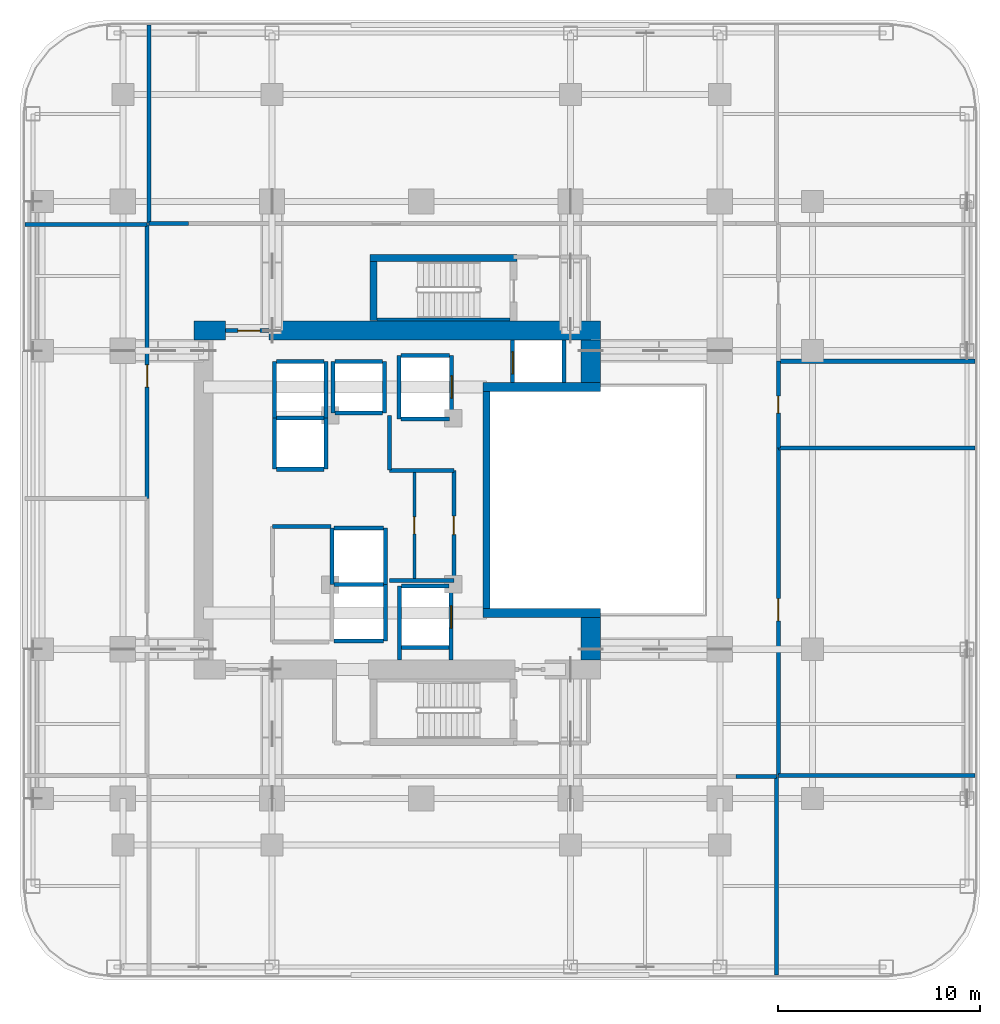
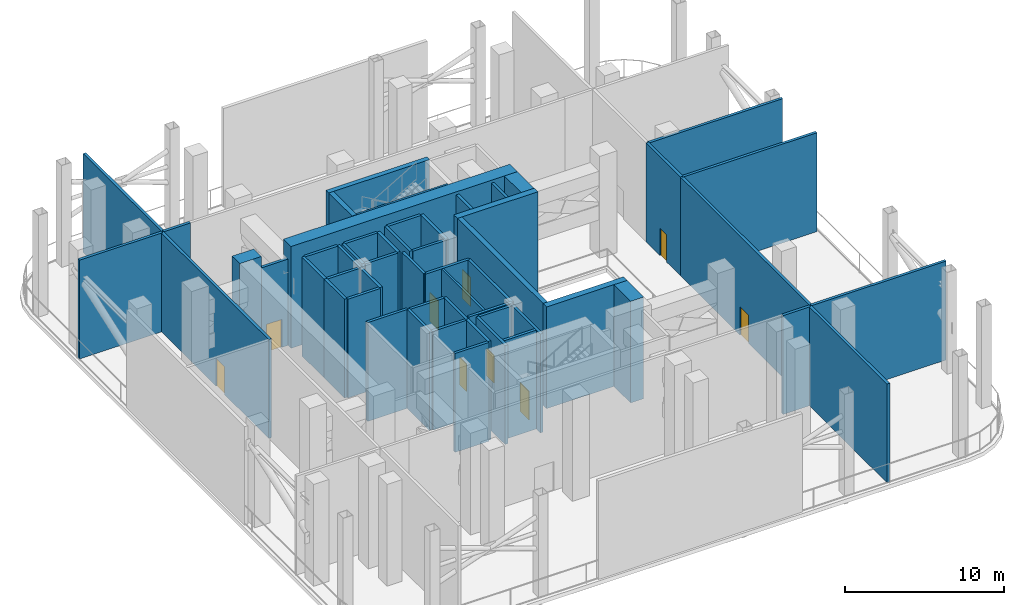
# One storey, part 5 of 10: 55 walls, 9 doors, 9 openings.
"""IFC4 building model written with IfcOpenShell, lengths in metres."""

from ifc_helpers import new_model, si_unit, direction, frame, frame_2d, origin, place, context, subcontext, project, spatial, rectangle, extrude, material, layer, layer_set, type_object, element, fill, save


model = new_model("IFC4")

# Units and contexts
model_context = context("Model", 3, precision=1e-05, world=origin(), true_north=direction((0.0, 1.0)))
body_context = subcontext(model_context, "Body", "Model", "MODEL_VIEW")
ifc_project = project(units=[si_unit("LENGTHUNIT", "METRE"), si_unit("AREAUNIT", "SQUARE_METRE"), si_unit("VOLUMEUNIT", "CUBIC_METRE"), si_unit("PLANEANGLEUNIT", "RADIAN"), si_unit("MASSUNIT", "GRAM", prefix="KILO")], contexts=[model_context])

# Site, building, storey
site_placement = place(None, origin())
site = spatial("IfcSite", under=ifc_project, at=site_placement, CompositionType="ELEMENT")
building_placement = place(site_placement, origin())
building = spatial("IfcBuilding", under=site, at=building_placement, Name="Khorvyn Point Tower", CompositionType="ELEMENT")
storey_placement = place(building_placement, frame((0.0, 0.0, 156.300048828125)))
storey = spatial("IfcBuildingStorey", under=building, at=storey_placement, Name="L39", CompositionType="ELEMENT", Elevation=156.300048828125)

# Walls
ifc_material_1 = material(Name="Concrete C40/50", Category="concrete")
ifc_layer_1 = layer(ifc_material_1, 0.449951171875)
ifc_layer_set_1 = layer_set([ifc_layer_1], Name="Concrete C40/50 Core Shear Wall 450")
wall_type_1 = type_object("IfcWallType", Name="Concrete C40/50 Core Shear Wall 450", PredefinedType="SHEAR", material=ifc_layer_set_1)
for number, where, z_axis, x_axis, name in (
    (1, (3.044921875, -5.60009765625, 0.0), (0.0, 0.0, 1.0), (1.0, 0.0, 0.0), "Wall"),
    (2, (3.044921875, 5.60009765625, 0.0), (0.0, 0.0, 1.0), (1.0, 0.0, 0.0), "Wall"),
):
    element("IfcWall", number, at=place(storey_placement, frame(where, z_axis=z_axis, x_axis=x_axis)), inside=storey, type_object=wall_type_1, Name=name, PredefinedType="SHEAR", context=body_context, shape_type="SweptSolid", body=[
        extrude(rectangle(XDim=5.830078125, YDim=0.449951171875, at=frame_2d((2.9150390625, 0.0))), origin(), (0.0, 0.0, 1.0), 7.800048828125),
    ])

# Wall, opening, door
ifc_layer_2 = layer(ifc_material_1, 0.199951171875)
ifc_layer_set_2 = layer_set([ifc_layer_2], Name="Concrete C40/50 Fire-Lobby Compartment Wall 200")
wall_type_2 = type_object("IfcWallType", Name="Concrete C40/50 Fire-Lobby Compartment Wall 200", PredefinedType="SOLIDWALL", material=ifc_layer_set_2)
wall_1_placement = place(storey_placement, frame((-9.699951171875, 8.39990234375, 0.0), z_axis=(0.0, 0.0, 1.0), x_axis=(1.0, 0.0, 0.0)))
wall_1 = element("IfcWall", 3, at=wall_1_placement, inside=storey, type_object=wall_type_2, Name="Wall", PredefinedType="SOLIDWALL", context=body_context, shape_type="SweptSolid", body=[
    extrude(rectangle(XDim=2.14990234375, YDim=0.199951171875, at=frame_2d((1.074951171875, 0.0))), origin(), (0.0, 0.0, 1.0), 6.619873046875),
])
opening_1_placement = place(wall_1_placement, frame((0.597900390625, 0.0, 0.0)))
opening_1 = element("IfcOpeningElement", 4, at=opening_1_placement, cuts=wall_1, Name="Opening ID-FL90", PredefinedType="OPENING", context=body_context, shape_type="SweptSolid", body=[
    extrude(rectangle(XDim=1.10009765625, YDim=2.14990234375, at=frame_2d((0.550048828125, 1.074951171875))), frame((0.0, 0.10986328125, 0.0), z_axis=(0.0, -1.0, 0.0), x_axis=(1.0, 0.0, 0.0)), (0.0, 0.0, 1.0), 0.219970703125),
])
ifc_material_2 = material(Name="Galvanised powder-coated steel", Category="steel")
door_type_1 = type_object("IfcDoorType", Name="Fire-Rated Steel Lobby and Stair Door 1100x2150", OperationType="NOTDEFINED", PredefinedType="DOOR", material=ifc_material_2)
door_1_placement = place(opening_1_placement, origin())
door_1 = element("IfcDoor", 5, at=door_1_placement, inside=storey, type_object=door_type_1, Name="Door", OperationType="SINGLE_SWING_LEFT", OverallHeight=2.14990234375, OverallWidth=1.10009765625, PredefinedType="DOOR", context=body_context, shape_type="SweptSolid", body=[
    extrude(rectangle(XDim=1.10009765625, YDim=2.14990234375, at=frame_2d((0.550048828125, 1.074951171875))), frame((0.0, 0.02490234375, 0.0), z_axis=(0.0, -1.0, 0.0), x_axis=(1.0, 0.0, 0.0)), (0.0, 0.0, 1.0), 0.050048828125),
])
fill(opening_1, door_1)

wall_2_placement = place(storey_placement, frame((1.610107421875, -3.97998046875, 0.0), z_axis=(0.0, 0.0, 1.0), x_axis=(0.0, 1.0, 0.0)))
wall_2 = element("IfcWall", 6, at=wall_2_placement, inside=storey, type_object=wall_type_2, Name="Wall", PredefinedType="SOLIDWALL", context=body_context, shape_type="SweptSolid", body=[
    extrude(rectangle(XDim=5.43994140625, YDim=0.199951171875, at=frame_2d((2.719970703125, 0.0))), origin(), (0.0, 0.0, 1.0), 7.579833984375),
])
opening_2_placement = place(wall_2_placement, frame((2.260009765625, 0.0, 0.0)))
opening_2 = element("IfcOpeningElement", 7, at=opening_2_placement, cuts=wall_2, Name="Opening ID-RS60", PredefinedType="OPENING", context=body_context, shape_type="SweptSolid", body=[
    extrude(rectangle(XDim=0.919921875, YDim=2.10009765625, at=frame_2d((0.4599609375, 1.050048828125))), frame((0.0, 0.10986328125, 0.0), z_axis=(0.0, -1.0, 0.0), x_axis=(1.0, 0.0, 0.0)), (0.0, 0.0, 1.0), 0.219970703125),
])
door_type_2 = type_object("IfcDoorType", Name="Fire-Rated Riser and Store Steel Door 920x2100", OperationType="NOTDEFINED", PredefinedType="DOOR", material=ifc_material_2)
door_2_placement = place(opening_2_placement, origin())
door_2 = element("IfcDoor", 8, at=door_2_placement, inside=storey, type_object=door_type_2, Name="Door", OperationType="SINGLE_SWING_RIGHT", OverallHeight=2.10009765625, OverallWidth=0.919921875, PredefinedType="DOOR", context=body_context, shape_type="SweptSolid", body=[
    extrude(rectangle(XDim=0.919921875, YDim=2.10009765625, at=frame_2d((0.4599609375, 1.050048828125))), frame((0.0, 0.02490234375, 0.0), z_axis=(0.0, -1.0, 0.0), x_axis=(1.0, 0.0, 0.0)), (0.0, 0.0, 1.0), 0.050048828125),
])
fill(opening_2, door_2)

wall_3_placement = place(storey_placement, frame((-13.60009765625, 0.080078125, 0.0), z_axis=(0.0, 0.0, 1.0), x_axis=(0.0, 1.0, 0.0)))
wall_3 = element("IfcWall", 9, at=wall_3_placement, inside=storey, type_object=wall_type_2, Name="Wall", PredefinedType="SOLIDWALL", context=body_context, shape_type="SweptSolid", body=[
    extrude(rectangle(XDim=13.56982421875, YDim=0.199951171875, at=frame_2d((6.784912109375, 0.0))), origin(), (0.0, 0.0, 1.0), 7.579833984375),
])
opening_3_placement = place(wall_3_placement, frame((5.520263671875, 0.0, 0.0)))
opening_3 = element("IfcOpeningElement", 10, at=opening_3_placement, cuts=wall_3, Name="Opening ID-FL90", PredefinedType="OPENING", context=body_context, shape_type="SweptSolid", body=[
    extrude(rectangle(XDim=1.10009765625, YDim=2.14990234375, at=frame_2d((0.550048828125, 1.074951171875))), frame((0.0, 0.10986328125, 0.0), z_axis=(0.0, -1.0, 0.0), x_axis=(1.0, 0.0, 0.0)), (0.0, 0.0, 1.0), 0.219970703125),
])
door_3_placement = place(opening_3_placement, origin())
door_3 = element("IfcDoor", 11, at=door_3_placement, inside=storey, type_object=door_type_1, Name="Door", OperationType="SINGLE_SWING_LEFT", OverallHeight=2.14990234375, OverallWidth=1.10009765625, PredefinedType="DOOR", context=body_context, shape_type="SweptSolid", body=[
    extrude(rectangle(XDim=1.10009765625, YDim=2.14990234375, at=frame_2d((0.550048828125, 1.074951171875))), frame((0.0, 0.02490234375, 0.0), z_axis=(0.0, -1.0, 0.0), x_axis=(1.0, 0.0, 0.0)), (0.0, 0.0, 1.0), 0.050048828125),
])
fill(opening_3, door_3)

wall_4_placement = place(storey_placement, frame((17.699951171875, -13.64990234375, 0.0), z_axis=(0.0, 0.0, 1.0), x_axis=(0.0, 1.0, 0.0)))
wall_4 = element("IfcWall", 12, at=wall_4_placement, inside=storey, type_object=wall_type_2, Name="Wall", PredefinedType="SOLIDWALL", context=body_context, shape_type="SweptSolid", body=[
    extrude(rectangle(XDim=16.22998046875, YDim=0.199951171875, at=frame_2d((8.114990234375, 0.0))), origin(), (0.0, 0.0, 1.0), 7.579833984375),
])
opening_4_placement = place(wall_4_placement, frame((7.654296875, 0.0, 0.0)))
opening_4 = element("IfcOpeningElement", 13, at=opening_4_placement, cuts=wall_4, Name="Opening ID-FL90", PredefinedType="OPENING", context=body_context, shape_type="SweptSolid", body=[
    extrude(rectangle(XDim=1.10009765625, YDim=2.14990234375, at=frame_2d((0.550048828125, 1.074951171875))), frame((0.0, 0.10986328125, 0.0), z_axis=(0.0, -1.0, 0.0), x_axis=(1.0, 0.0, 0.0)), (0.0, 0.0, 1.0), 0.219970703125),
])
door_4_placement = place(opening_4_placement, origin())
door_4 = element("IfcDoor", 14, at=door_4_placement, inside=storey, type_object=door_type_1, Name="Door", OperationType="SINGLE_SWING_RIGHT", OverallHeight=2.14990234375, OverallWidth=1.10009765625, PredefinedType="DOOR", context=body_context, shape_type="SweptSolid", body=[
    extrude(rectangle(XDim=1.10009765625, YDim=2.14990234375, at=frame_2d((0.550048828125, 1.074951171875))), frame((0.0, 0.02490234375, 0.0), z_axis=(0.0, -1.0, 0.0), x_axis=(1.0, 0.0, 0.0)), (0.0, 0.0, 1.0), 0.050048828125),
])
fill(opening_4, door_4)

wall_5_placement = place(storey_placement, frame((17.699951171875, 2.580078125, 0.0), z_axis=(0.0, 0.0, 1.0), x_axis=(0.0, 1.0, 0.0)))
wall_5 = element("IfcWall", 15, at=wall_5_placement, inside=storey, type_object=wall_type_2, Name="Wall", PredefinedType="SOLIDWALL", context=body_context, shape_type="SweptSolid", body=[
    extrude(rectangle(XDim=4.2998046875, YDim=0.199951171875, at=frame_2d((2.14990234375, 0.0))), origin(), (0.0, 0.0, 1.0), 7.579833984375),
])
opening_5_placement = place(wall_5_placement, frame((1.72509765625, 0.0, 0.0)))
opening_5 = element("IfcOpeningElement", 16, at=opening_5_placement, cuts=wall_5, Name="Opening ID-WC85", PredefinedType="OPENING", context=body_context, shape_type="SweptSolid", body=[
    extrude(rectangle(XDim=0.85009765625, YDim=2.10009765625, at=frame_2d((0.425048828125, 1.050048828125))), frame((0.0, 0.10986328125, 0.0), z_axis=(0.0, -1.0, 0.0), x_axis=(1.0, 0.0, 0.0)), (0.0, 0.0, 1.0), 0.219970703125),
])
ifc_material_3 = material(Name="High-pressure laminate on moisture-resistant core", Category="wood")
door_type_3 = type_object("IfcDoorType", Name="Moisture-Resistant Accessible Washroom Door 850x2100", OperationType="NOTDEFINED", PredefinedType="DOOR", material=ifc_material_3)
door_5_placement = place(opening_5_placement, origin())
door_5 = element("IfcDoor", 17, at=door_5_placement, inside=storey, type_object=door_type_3, Name="Door", OperationType="SINGLE_SWING_LEFT", OverallHeight=2.10009765625, OverallWidth=0.85009765625, PredefinedType="DOOR", context=body_context, shape_type="SweptSolid", body=[
    extrude(rectangle(XDim=0.85009765625, YDim=2.10009765625, at=frame_2d((0.425048828125, 1.050048828125))), frame((0.0, 0.02490234375, 0.0), z_axis=(0.0, -1.0, 0.0), x_axis=(1.0, 0.0, 0.0)), (0.0, 0.0, 1.0), 0.050048828125),
])
fill(opening_5, door_5)

# Walls
wall_6_placement = place(storey_placement, frame((-7.3798828125, -1.320068359375, 0.0), z_axis=(0.0, 0.0, 1.0), x_axis=(1.0, 0.0, 0.0)))
element("IfcWall", 18, at=wall_6_placement, inside=storey, type_object=wall_type_2, Name="Wall", PredefinedType="SOLIDWALL", context=body_context, shape_type="SweptSolid", body=[
    extrude(rectangle(XDim=2.909912109375, YDim=0.199951171875, at=frame_2d((1.455078125, 0.0))), origin(), (0.0, 0.0, 1.0), 7.579833984375),
])
wall_7_placement = place(storey_placement, frame((-1.580078125, 1.47998046875, 0.0), z_axis=(0.0, 0.0, 1.0), x_axis=(0.0, 1.0, 0.0)))
element("IfcWall", 19, at=wall_7_placement, inside=storey, type_object=wall_type_2, Name="Wall", PredefinedType="SOLIDWALL", context=body_context, shape_type="SweptSolid", body=[
    extrude(rectangle(XDim=2.699951171875, YDim=0.199951171875, at=frame_2d((1.35009765625, 0.0))), origin(), (0.0, 0.0, 1.0), 7.579833984375),
])
for number, where, z_axis, x_axis, name in (
    (20, (-1.580078125, -3.97998046875, 0.0), (0.0, 0.0, 1.0), (1.0, 0.0, 0.0), "Wall"),
    (21, (-1.580078125, 1.4599609375, 0.0), (0.0, 0.0, 1.0), (1.0, 0.0, 0.0), "Wall"),
):
    element("IfcWall", number, at=place(storey_placement, frame(where, z_axis=z_axis, x_axis=x_axis)), inside=storey, type_object=wall_type_2, Name=name, PredefinedType="SOLIDWALL", context=body_context, shape_type="SweptSolid", body=[
        extrude(rectangle(XDim=3.190185546875, YDim=0.199951171875, at=frame_2d((1.59521484375, 0.0))), origin(), (0.0, 0.0, 1.0), 7.579833984375),
    ])
wall_8_placement = place(storey_placement, frame((-13.5, 13.699951171875, 0.0), z_axis=(0.0, 0.0, 1.0), x_axis=(1.0, 0.0, 0.0)))
element("IfcWall", 22, at=wall_8_placement, inside=storey, type_object=wall_type_2, Name="Wall", PredefinedType="SOLIDWALL", context=body_context, shape_type="SweptSolid", body=[
    extrude(rectangle(XDim=1.949951171875, YDim=0.199951171875, at=frame_2d((0.97509765625, 0.0))), origin(), (0.0, 0.0, 1.0), 7.579833984375),
])
wall_9_placement = place(storey_placement, frame((15.60009765625, -13.699951171875, 0.0), z_axis=(0.0, 0.0, 1.0), x_axis=(1.0, 0.0, 0.0)))
element("IfcWall", 23, at=wall_9_placement, inside=storey, type_object=wall_type_2, Name="Wall", PredefinedType="SOLIDWALL", context=body_context, shape_type="SweptSolid", body=[
    extrude(rectangle(XDim=2.0, YDim=0.199951171875, at=frame_2d((1.0, 0.0))), origin(), (0.0, 0.0, 1.0), 7.579833984375),
])
for number, where, z_axis, x_axis, name in (
    (24, (17.60009765625, -23.550048828125, 0.0), (0.0, 0.0, 1.0), (0.0, 1.0, 0.0), "Wall"),
    (25, (-13.5, 13.699951171875, 0.0), (0.0, 0.0, 1.0), (0.0, 1.0, 0.0), "Wall"),
):
    element("IfcWall", number, at=place(storey_placement, frame(where, z_axis=z_axis, x_axis=x_axis)), inside=storey, type_object=wall_type_2, Name=name, PredefinedType="SOLIDWALL", context=body_context, shape_type="SweptSolid", body=[
        extrude(rectangle(XDim=9.85009765625, YDim=0.199951171875, at=frame_2d((4.925048828125, 0.0))), origin(), (0.0, 0.0, 1.0), 7.579833984375),
    ])
wall_10_placement = place(storey_placement, frame((-19.64990234375, 13.64990234375, 0.0), z_axis=(0.0, 0.0, 1.0), x_axis=(1.0, 0.0, 0.0)))
element("IfcWall", 26, at=wall_10_placement, inside=storey, type_object=wall_type_2, Name="Wall", PredefinedType="SOLIDWALL", context=body_context, shape_type="SweptSolid", body=[
    extrude(rectangle(XDim=6.0498046875, YDim=0.199951171875, at=frame_2d((3.02490234375, 0.0))), origin(), (0.0, 0.0, 1.0), 7.579833984375),
])
for number, where, z_axis, x_axis, name in (
    (27, (17.699951171875, -13.64990234375, 0.0), (0.0, 0.0, 1.0), (1.0, 0.0, 0.0), "Wall"),
    (28, (17.699951171875, 2.580078125, 0.0), (0.0, 0.0, 1.0), (1.0, 0.0, 0.0), "Wall"),
    (29, (17.699951171875, 6.8798828125, 0.0), (0.0, 0.0, 1.0), (1.0, 0.0, 0.0), "Wall"),
):
    element("IfcWall", number, at=place(storey_placement, frame(where, z_axis=z_axis, x_axis=x_axis)), inside=storey, type_object=wall_type_2, Name=name, PredefinedType="SOLIDWALL", context=body_context, shape_type="SweptSolid", body=[
        extrude(rectangle(XDim=9.75, YDim=0.199951171875, at=frame_2d((4.875, 0.0))), origin(), (0.0, 0.0, 1.0), 7.579833984375),
    ])
ifc_layer_3 = layer(ifc_material_1, 0.25)
ifc_layer_set_3 = layer_set([ifc_layer_3], Name="Concrete C40/50 Stair Inner Cheek Structural Wall 250")
wall_type_3 = type_object("IfcWallType", Name="Concrete C40/50 Stair Inner Cheek Structural Wall 250", PredefinedType="SHEAR", material=ifc_layer_set_3)
wall_11_placement = place(storey_placement, frame((-2.199951171875, 8.949951171875, 0.0), z_axis=(0.0, 0.0, 1.0), x_axis=(1.0, 0.0, 0.0)))
element("IfcWall", 30, at=wall_11_placement, inside=storey, type_object=wall_type_3, Name="Wall", PredefinedType="SHEAR", context=body_context, shape_type="SweptSolid", body=[
    extrude(rectangle(XDim=6.599853515625, YDim=0.14990234375, at=frame_2d((3.2998046875, 0.0))), origin(), (0.0, 0.0, 1.0), 7.800048828125),
])
ifc_layer_4 = layer(ifc_material_1, 0.35009765625)
ifc_layer_set_4 = layer_set([ifc_layer_4], Name="Concrete C40/50 Stair Shaft Structural Wall 350")
wall_type_4 = type_object("IfcWallType", Name="Concrete C40/50 Stair Shaft Structural Wall 350", PredefinedType="SHEAR", material=ifc_layer_set_4)
wall_12_placement = place(storey_placement, frame((3.219970703125, -5.375, 0.0), z_axis=(0.0, 0.0, 1.0), x_axis=(0.0, 1.0, 0.0)))
element("IfcWall", 31, at=wall_12_placement, inside=storey, type_object=wall_type_4, Name="Wall", PredefinedType="SHEAR", context=body_context, shape_type="SweptSolid", body=[
    extrude(rectangle(XDim=10.75, YDim=0.35009765625, at=frame_2d((5.375, 0.0))), origin(), (0.0, 0.0, 1.0), 7.800048828125),
])
wall_13_placement = place(storey_placement, frame((-2.554931640625, 12.0, 0.0), z_axis=(0.0, 0.0, 1.0), x_axis=(1.0, 0.0, 0.0)))
element("IfcWall", 32, at=wall_13_placement, inside=storey, type_object=wall_type_4, Name="L39 ST-02 North Shaft Wall", PredefinedType="SHEAR", context=body_context, shape_type="SweptSolid", body=[
    extrude(rectangle(XDim=7.309814453125, YDim=0.35009765625, at=frame_2d((3.65478515625, 0.0))), origin(), (0.0, 0.0, 1.0), 7.800048828125),
])
wall_14_placement = place(storey_placement, frame((-2.3798828125, 8.89990234375, 0.0), z_axis=(0.0, 0.0, 1.0), x_axis=(0.0, 1.0, 0.0)))
element("IfcWall", 33, at=wall_14_placement, inside=storey, type_object=wall_type_4, Name="L39 ST-02 West Shaft Wall", PredefinedType="SHEAR", context=body_context, shape_type="SweptSolid", body=[
    extrude(rectangle(XDim=2.925048828125, YDim=0.35009765625, at=frame_2d((1.46240234375, 0.0))), origin(), (0.0, 0.0, 1.0), 7.800048828125),
])
ifc_layer_5 = layer(ifc_material_1, 0.199951171875)
ifc_layer_set_5 = layer_set([ifc_layer_5], Name="Concrete C40/50 Structural Hoistway and Stair Shaft Wall 200")
wall_type_5 = type_object("IfcWallType", Name="Concrete C40/50 Structural Hoistway and Stair Shaft Wall 200", PredefinedType="SHEAR", material=ifc_layer_set_5)
for number, where, z_axis, x_axis, name in (
    (34, (-7.27490234375, 1.52490234375, 0.0), (0.0, 0.0, 1.0), (0.0, 1.0, 0.0), "Wall"),
    (35, (-4.72509765625, 1.52490234375, 0.0), (0.0, 0.0, 1.0), (0.0, 1.0, 0.0), "Wall"),
):
    element("IfcWall", number, at=place(storey_placement, frame(where, z_axis=z_axis, x_axis=x_axis)), inside=storey, type_object=wall_type_5, Name=name, PredefinedType="SHEAR", context=body_context, shape_type="SweptSolid", body=[
        extrude(rectangle(XDim=2.550048828125, YDim=0.199951171875, at=frame_2d((1.27490234375, 0.0))), origin(), (0.0, 0.0, 1.0), 7.579833984375),
    ])
for number, where, z_axis, x_axis, name in (
    (36, (-7.175048828125, 1.52490234375, 0.0), (0.0, 0.0, 1.0), (1.0, 0.0, 0.0), "Wall"),
    (37, (-7.175048828125, 4.074951171875, 0.0), (0.0, 0.0, 1.0), (1.0, 0.0, 0.0), "Wall"),
):
    element("IfcWall", number, at=place(storey_placement, frame(where, z_axis=z_axis, x_axis=x_axis)), inside=storey, type_object=wall_type_5, Name=name, PredefinedType="SHEAR", context=body_context, shape_type="SweptSolid", body=[
        extrude(rectangle(XDim=2.35009765625, YDim=0.199951171875, at=frame_2d((1.175048828125, 0.0))), origin(), (0.0, 0.0, 1.0), 7.579833984375),
    ])
for number, where, z_axis, x_axis, name in (
    (38, (-7.27490234375, 4.074951171875, 0.0), (0.0, 0.0, 1.0), (0.0, 1.0, 0.0), "Wall"),
    (39, (-4.72509765625, 4.074951171875, 0.0), (0.0, 0.0, 1.0), (0.0, 1.0, 0.0), "Wall"),
):
    element("IfcWall", number, at=place(storey_placement, frame(where, z_axis=z_axis, x_axis=x_axis)), inside=storey, type_object=wall_type_5, Name=name, PredefinedType="SHEAR", context=body_context, shape_type="SweptSolid", body=[
        extrude(rectangle(XDim=2.800048828125, YDim=0.199951171875, at=frame_2d((1.39990234375, 0.0))), origin(), (0.0, 0.0, 1.0), 7.579833984375),
    ])
wall_15_placement = place(storey_placement, frame((-7.175048828125, 6.875, 0.0), z_axis=(0.0, 0.0, 1.0), x_axis=(1.0, 0.0, 0.0)))
element("IfcWall", 40, at=wall_15_placement, inside=storey, type_object=wall_type_5, Name="Wall", PredefinedType="SHEAR", context=body_context, shape_type="SweptSolid", body=[
    extrude(rectangle(XDim=2.35009765625, YDim=0.199951171875, at=frame_2d((1.175048828125, 0.0))), origin(), (0.0, 0.0, 1.0), 7.579833984375),
])
for number, where, z_axis, x_axis, name in (
    (41, (-4.375, 4.324951171875, 0.0), (0.0, 0.0, 1.0), (0.0, 1.0, 0.0), "Wall"),
    (42, (-1.824951171875, 4.324951171875, 0.0), (0.0, 0.0, 1.0), (0.0, 1.0, 0.0), "Wall"),
):
    element("IfcWall", number, at=place(storey_placement, frame(where, z_axis=z_axis, x_axis=x_axis)), inside=storey, type_object=wall_type_5, Name=name, PredefinedType="SHEAR", context=body_context, shape_type="SweptSolid", body=[
        extrude(rectangle(XDim=2.550048828125, YDim=0.199951171875, at=frame_2d((1.27490234375, 0.0))), origin(), (0.0, 0.0, 1.0), 7.579833984375),
    ])
for number, where, z_axis, x_axis, name in (
    (43, (-4.27490234375, 4.324951171875, 0.0), (0.0, 0.0, 1.0), (1.0, 0.0, 0.0), "Wall"),
    (44, (-4.27490234375, 6.875, 0.0), (0.0, 0.0, 1.0), (1.0, 0.0, 0.0), "Wall"),
):
    element("IfcWall", number, at=place(storey_placement, frame(where, z_axis=z_axis, x_axis=x_axis)), inside=storey, type_object=wall_type_5, Name=name, PredefinedType="SHEAR", context=body_context, shape_type="SweptSolid", body=[
        extrude(rectangle(XDim=2.349853515625, YDim=0.199951171875, at=frame_2d((1.1748046875, 0.0))), origin(), (0.0, 0.0, 1.0), 7.579833984375),
    ])
wall_16_placement = place(storey_placement, frame((-1.77490234375, -7.0, 0.0), z_axis=(0.0, 0.0, 1.0), x_axis=(0.0, 1.0, 0.0)))
element("IfcWall", 45, at=wall_16_placement, inside=storey, type_object=wall_type_5, Name="Wall", PredefinedType="SHEAR", context=body_context, shape_type="SweptSolid", body=[
    extrude(rectangle(XDim=2.800048828125, YDim=0.199951171875, at=frame_2d((1.39990234375, 0.0))), origin(), (0.0, 0.0, 1.0), 7.579833984375),
])
for number, where, z_axis, x_axis, name in (
    (46, (-4.324951171875, -7.0, 0.0), (0.0, 0.0, 1.0), (1.0, 0.0, 0.0), "Wall"),
    (47, (-4.324951171875, -4.199951171875, 0.0), (0.0, 0.0, 1.0), (1.0, 0.0, 0.0), "Wall"),
):
    element("IfcWall", number, at=place(storey_placement, frame(where, z_axis=z_axis, x_axis=x_axis)), inside=storey, type_object=wall_type_5, Name=name, PredefinedType="SHEAR", context=body_context, shape_type="SweptSolid", body=[
        extrude(rectangle(XDim=2.449951171875, YDim=0.199951171875, at=frame_2d((1.22509765625, 0.0))), origin(), (0.0, 0.0, 1.0), 7.579833984375),
    ])
for number, where, z_axis, x_axis, name in (
    (48, (-4.425048828125, -4.199951171875, 0.0), (0.0, 0.0, 1.0), (0.0, 1.0, 0.0), "Wall"),
    (49, (-1.77490234375, -4.199951171875, 0.0), (0.0, 0.0, 1.0), (0.0, 1.0, 0.0), "Wall"),
):
    element("IfcWall", number, at=place(storey_placement, frame(where, z_axis=z_axis, x_axis=x_axis)), inside=storey, type_object=wall_type_5, Name=name, PredefinedType="SHEAR", context=body_context, shape_type="SweptSolid", body=[
        extrude(rectangle(XDim=2.800048828125, YDim=0.199951171875, at=frame_2d((1.39990234375, 0.0))), origin(), (0.0, 0.0, 1.0), 7.579833984375),
    ])
wall_17_placement = place(storey_placement, frame((-4.324951171875, -1.39990234375, 0.0), z_axis=(0.0, 0.0, 1.0), x_axis=(1.0, 0.0, 0.0)))
element("IfcWall", 50, at=wall_17_placement, inside=storey, type_object=wall_type_5, Name="Wall", PredefinedType="SHEAR", context=body_context, shape_type="SweptSolid", body=[
    extrude(rectangle(XDim=2.449951171875, YDim=0.199951171875, at=frame_2d((1.22509765625, 0.0))), origin(), (0.0, 0.0, 1.0), 7.579833984375),
])
wall_18_placement = place(storey_placement, frame((-1.10009765625, 4.02490234375, 0.0), z_axis=(0.0, 0.0, 1.0), x_axis=(0.0, 1.0, 0.0)))
element("IfcWall", 51, at=wall_18_placement, inside=storey, type_object=wall_type_5, Name="Wall", PredefinedType="SHEAR", context=body_context, shape_type="SweptSolid", body=[
    extrude(rectangle(XDim=3.150146484375, YDim=0.199951171875, at=frame_2d((1.5751953125, 0.0))), origin(), (0.0, 0.0, 1.0), 7.579833984375),
])

# Wall, opening, door
wall_19_placement = place(storey_placement, frame((1.5, 4.02490234375, 0.0), z_axis=(0.0, 0.0, 1.0), x_axis=(0.0, 1.0, 0.0)))
wall_19 = element("IfcWall", 52, at=wall_19_placement, inside=storey, type_object=wall_type_5, Name="Wall", PredefinedType="SHEAR", context=body_context, shape_type="SweptSolid", body=[
    extrude(rectangle(XDim=3.150146484375, YDim=0.199951171875, at=frame_2d((1.5751953125, 0.0))), origin(), (0.0, 0.0, 1.0), 7.579833984375),
])
opening_6_placement = place(wall_19_placement, frame((1.02490234375, 0.0, 0.0)))
opening_6 = element("IfcOpeningElement", 53, at=opening_6_placement, cuts=wall_19, Name="Opening LD-1122", PredefinedType="OPENING", context=body_context, shape_type="SweptSolid", body=[
    extrude(rectangle(XDim=1.10009765625, YDim=2.199951171875, at=frame_2d((0.550048828125, 1.10009765625))), frame((0.0, 0.10986328125, 0.0), z_axis=(0.0, -1.0, 0.0), x_axis=(1.0, 0.0, 0.0)), (0.0, 0.0, 1.0), 0.219970703125),
])
ifc_material_4 = material(Name="Stainless steel 1.4301", Category="steel")
door_type_4 = type_object("IfcDoorType", Name="Stainless Steel Automatic Sliding Lift Landing Door 1100x2200", OperationType="SLIDING_TO_LEFT", PredefinedType="DOOR", material=ifc_material_4)
door_6_placement = place(opening_6_placement, origin())
door_6 = element("IfcDoor", 54, at=door_6_placement, inside=storey, type_object=door_type_4, Name="L39 SV-01 Sliding Lift Landing Door", OperationType="SLIDING_TO_LEFT", OverallHeight=2.199951171875, OverallWidth=1.10009765625, PredefinedType="DOOR", context=body_context, shape_type="SweptSolid", body=[
    extrude(rectangle(XDim=1.10009765625, YDim=2.199951171875, at=frame_2d((0.550048828125, 1.10009765625))), frame((0.0, 0.02490234375, 0.0), z_axis=(0.0, -1.0, 0.0), x_axis=(1.0, 0.0, 0.0)), (0.0, 0.0, 1.0), 0.050048828125),
])
fill(opening_6, door_6)

# Walls
for number, where, z_axis, x_axis, name in (
    (55, (-1.0, 4.02490234375, 0.0), (0.0, 0.0, 1.0), (1.0, 0.0, 0.0), "Wall"),
    (56, (-1.0, 7.175048828125, 0.0), (0.0, 0.0, 1.0), (1.0, 0.0, 0.0), "Wall"),
):
    element("IfcWall", number, at=place(storey_placement, frame(where, z_axis=z_axis, x_axis=x_axis)), inside=storey, type_object=wall_type_5, Name=name, PredefinedType="SHEAR", context=body_context, shape_type="SweptSolid", body=[
        extrude(rectangle(XDim=2.39990234375, YDim=0.199951171875, at=frame_2d((1.199951171875, 0.0))), origin(), (0.0, 0.0, 1.0), 7.579833984375),
    ])
wall_20_placement = place(storey_placement, frame((-1.074951171875, -7.925048828125, 0.0), z_axis=(0.0, 0.0, 1.0), x_axis=(0.0, 1.0, 0.0)))
element("IfcWall", 57, at=wall_20_placement, inside=storey, type_object=wall_type_5, Name="Wall", PredefinedType="SHEAR", context=body_context, shape_type="SweptSolid", body=[
    extrude(rectangle(XDim=3.650146484375, YDim=0.199951171875, at=frame_2d((1.8251953125, 0.0))), origin(), (0.0, 0.0, 1.0), 7.579833984375),
])

# Wall, opening, door
wall_21_placement = place(storey_placement, frame((1.47509765625, -7.925048828125, 0.0), z_axis=(0.0, 0.0, 1.0), x_axis=(0.0, 1.0, 0.0)))
wall_21 = element("IfcWall", 58, at=wall_21_placement, inside=storey, type_object=wall_type_5, Name="Wall", PredefinedType="SHEAR", context=body_context, shape_type="SweptSolid", body=[
    extrude(rectangle(XDim=3.650146484375, YDim=0.199951171875, at=frame_2d((1.8251953125, 0.0))), origin(), (0.0, 0.0, 1.0), 7.579833984375),
])
opening_7_placement = place(wall_21_placement, frame((1.574951171875, 0.0, 0.0)))
opening_7 = element("IfcOpeningElement", 59, at=opening_7_placement, cuts=wall_21, Name="Opening LD-1122", PredefinedType="OPENING", context=body_context, shape_type="SweptSolid", body=[
    extrude(rectangle(XDim=1.10009765625, YDim=2.199951171875, at=frame_2d((0.550048828125, 1.10009765625))), frame((0.0, 0.10986328125, 0.0), z_axis=(0.0, -1.0, 0.0), x_axis=(1.0, 0.0, 0.0)), (0.0, 0.0, 1.0), 0.219970703125),
])
door_7_placement = place(opening_7_placement, origin())
door_7 = element("IfcDoor", 60, at=door_7_placement, inside=storey, type_object=door_type_4, Name="L39 FF-01 Sliding Lift Landing Door", OperationType="SLIDING_TO_LEFT", OverallHeight=2.199951171875, OverallWidth=1.10009765625, PredefinedType="DOOR", context=body_context, shape_type="SweptSolid", body=[
    extrude(rectangle(XDim=1.10009765625, YDim=2.199951171875, at=frame_2d((0.550048828125, 1.10009765625))), frame((0.0, 0.02490234375, 0.0), z_axis=(0.0, -1.0, 0.0), x_axis=(1.0, 0.0, 0.0)), (0.0, 0.0, 1.0), 0.050048828125),
])
fill(opening_7, door_7)

# Walls
for number, where, z_axis, x_axis, name in (
    (61, (-0.97509765625, -7.324951171875, 0.0), (0.0, 0.0, 1.0), (1.0, 0.0, 0.0), "Wall"),
    (62, (-0.97509765625, -4.27490234375, 0.0), (0.0, 0.0, 1.0), (1.0, 0.0, 0.0), "Wall"),
):
    element("IfcWall", number, at=place(storey_placement, frame(where, z_axis=z_axis, x_axis=x_axis)), inside=storey, type_object=wall_type_5, Name=name, PredefinedType="SHEAR", context=body_context, shape_type="SweptSolid", body=[
        extrude(rectangle(XDim=2.35009765625, YDim=0.199951171875, at=frame_2d((1.175048828125, 0.0))), origin(), (0.0, 0.0, 1.0), 7.579833984375),
    ])

# Wall, opening, door
wall_22_placement = place(storey_placement, frame((4.52490234375, 5.824951171875, 0.0), z_axis=(0.0, 0.0, 1.0), x_axis=(0.0, 1.0, 0.0)))
wall_22 = element("IfcWall", 63, at=wall_22_placement, inside=storey, type_object=wall_type_5, Name="Wall", PredefinedType="SHEAR", context=body_context, shape_type="SweptSolid", body=[
    extrude(rectangle(XDim=2.10009765625, YDim=0.199951171875, at=frame_2d((1.050048828125, 0.0))), origin(), (0.0, 0.0, 1.0), 7.579833984375),
])
opening_8_placement = place(wall_22_placement, frame((0.425048828125, 0.0, 0.0)))
opening_8 = element("IfcOpeningElement", 64, at=opening_8_placement, cuts=wall_22, Name="Opening LD-1122", PredefinedType="OPENING", context=body_context, shape_type="SweptSolid", body=[
    extrude(rectangle(XDim=1.10009765625, YDim=2.199951171875, at=frame_2d((0.550048828125, 1.10009765625))), frame((0.0, 0.10986328125, 0.0), z_axis=(0.0, -1.0, 0.0), x_axis=(1.0, 0.0, 0.0)), (0.0, 0.0, 1.0), 0.219970703125),
])
door_8_placement = place(opening_8_placement, origin())
door_8 = element("IfcDoor", 65, at=door_8_placement, inside=storey, type_object=door_type_4, Name="L39 FF-02 Sliding Lift Landing Door", OperationType="SLIDING_TO_LEFT", OverallHeight=2.199951171875, OverallWidth=1.10009765625, PredefinedType="DOOR", context=body_context, shape_type="SweptSolid", body=[
    extrude(rectangle(XDim=1.10009765625, YDim=2.199951171875, at=frame_2d((0.550048828125, 1.10009765625))), frame((0.0, 0.02490234375, 0.0), z_axis=(0.0, -1.0, 0.0), x_axis=(1.0, 0.0, 0.0)), (0.0, 0.0, 1.0), 0.050048828125),
])
fill(opening_8, door_8)

# Walls
wall_23_placement = place(storey_placement, frame((7.074951171875, 5.824951171875, 0.0), z_axis=(0.0, 0.0, 1.0), x_axis=(0.0, 1.0, 0.0)))
element("IfcWall", 66, at=wall_23_placement, inside=storey, type_object=wall_type_5, Name="Wall", PredefinedType="SHEAR", context=body_context, shape_type="SweptSolid", body=[
    extrude(rectangle(XDim=2.10009765625, YDim=0.199951171875, at=frame_2d((1.050048828125, 0.0))), origin(), (0.0, 0.0, 1.0), 7.579833984375),
])
ifc_material_5 = material(Name="Concrete C50/60", Category="concrete")
ifc_layer_6 = layer(ifc_material_5, 0.949951171875)
ifc_layer_set_6 = layer_set([ifc_layer_6], Name="Concrete C50/60 Core Shear Wall 950")
wall_type_6 = type_object("IfcWallType", Name="Concrete C50/60 Core Shear Wall 950", PredefinedType="SHEAR", material=ifc_layer_set_6)
wall_24_placement = place(storey_placement, frame((-11.27490234375, 8.39990234375, 0.0), z_axis=(0.0, 0.0, 1.0), x_axis=(1.0, 0.0, 0.0)))
element("IfcWall", 67, at=wall_24_placement, inside=storey, type_object=wall_type_6, Name="Wall", PredefinedType="SHEAR", context=body_context, shape_type="SweptSolid", body=[
    extrude(rectangle(XDim=1.574951171875, YDim=0.949951171875, at=frame_2d((0.78759765625, 0.0))), origin(), (0.0, 0.0, 1.0), 7.800048828125),
])
wall_25_placement = place(storey_placement, frame((-7.550048828125, 8.39990234375, 0.0), z_axis=(0.0, 0.0, 1.0), x_axis=(1.0, 0.0, 0.0)))
element("IfcWall", 68, at=wall_25_placement, inside=storey, type_object=wall_type_6, Name="Wall", PredefinedType="SHEAR", context=body_context, shape_type="SweptSolid", body=[
    extrude(rectangle(XDim=16.425048828125, YDim=0.949951171875, at=frame_2d((8.21240234375, 0.0))), origin(), (0.0, 0.0, 1.0), 7.800048828125),
])
for number, where, z_axis, x_axis, name in (
    (69, (8.39990234375, -7.925048828125, 0.0), (0.0, 0.0, 1.0), (0.0, 1.0, 0.0), "Wall"),
    (70, (8.39990234375, 5.824951171875, 0.0), (0.0, 0.0, 1.0), (0.0, 1.0, 0.0), "Wall"),
):
    element("IfcWall", number, at=place(storey_placement, frame(where, z_axis=z_axis, x_axis=x_axis)), inside=storey, type_object=wall_type_6, Name=name, PredefinedType="SHEAR", context=body_context, shape_type="SweptSolid", body=[
        extrude(rectangle(XDim=2.10009765625, YDim=0.949951171875, at=frame_2d((1.050048828125, 0.0))), origin(), (0.0, 0.0, 1.0), 7.800048828125),
    ])

# Wall, opening, door
ifc_material_6 = material(Name="Moisture-resistant gypsum and cement board", Category="gypsum")
ifc_layer_7 = layer(ifc_material_6, 0.14990234375)
ifc_layer_set_7 = layer_set([ifc_layer_7], Name="Moisture-Resistant Wet-Room Partition Wall 150")
wall_type_7 = type_object("IfcWallType", Name="Moisture-Resistant Wet-Room Partition Wall 150", PredefinedType="PARTITIONING", material=ifc_layer_set_7)
wall_26_placement = place(storey_placement, frame((-0.35009765625, -3.97998046875, 0.0), z_axis=(0.0, 0.0, 1.0), x_axis=(0.0, 1.0, 0.0)))
wall_26 = element("IfcWall", 71, at=wall_26_placement, inside=storey, type_object=wall_type_7, Name="Wall", PredefinedType="PARTITIONING", context=body_context, shape_type="SweptSolid", body=[
    extrude(rectangle(XDim=5.43994140625, YDim=0.14990234375, at=frame_2d((2.719970703125, 0.0))), origin(), (0.0, 0.0, 1.0), 7.579833984375),
])
opening_9_placement = place(wall_26_placement, frame((2.294921875, 0.0, 0.0)))
opening_9 = element("IfcOpeningElement", 72, at=opening_9_placement, cuts=wall_26, Name="Opening ID-WC85", PredefinedType="OPENING", context=body_context, shape_type="SweptSolid", body=[
    extrude(rectangle(XDim=0.85009765625, YDim=2.10009765625, at=frame_2d((0.425048828125, 1.050048828125))), frame((0.0, 0.0849609375, 0.0), z_axis=(0.0, -1.0, 0.0), x_axis=(1.0, 0.0, 0.0)), (0.0, 0.0, 1.0), 0.169921875),
])
door_9_placement = place(opening_9_placement, origin())
door_9 = element("IfcDoor", 73, at=door_9_placement, inside=storey, type_object=door_type_3, Name="Door", OperationType="SINGLE_SWING_LEFT", OverallHeight=2.10009765625, OverallWidth=0.85009765625, PredefinedType="DOOR", context=body_context, shape_type="SweptSolid", body=[
    extrude(rectangle(XDim=0.85009765625, YDim=2.10009765625, at=frame_2d((0.425048828125, 1.050048828125))), frame((0.0, 0.02490234375, 0.0), z_axis=(0.0, -1.0, 0.0), x_axis=(1.0, 0.0, 0.0)), (0.0, 0.0, 1.0), 0.050048828125),
])
fill(opening_9, door_9)

save(model, "model.ifc")
